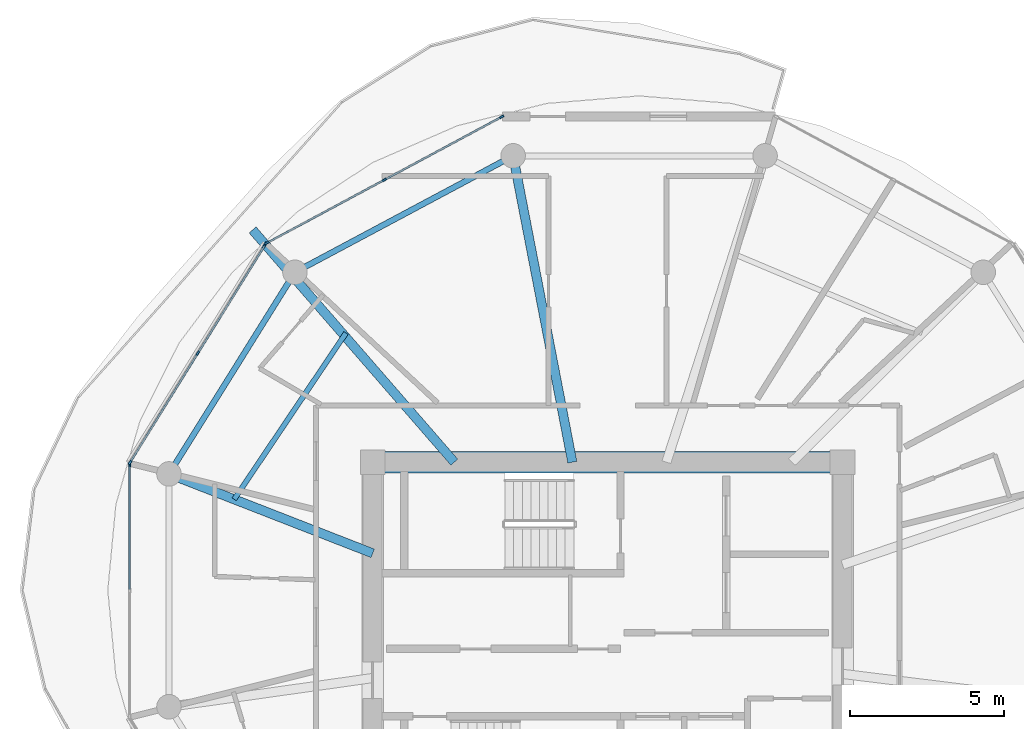
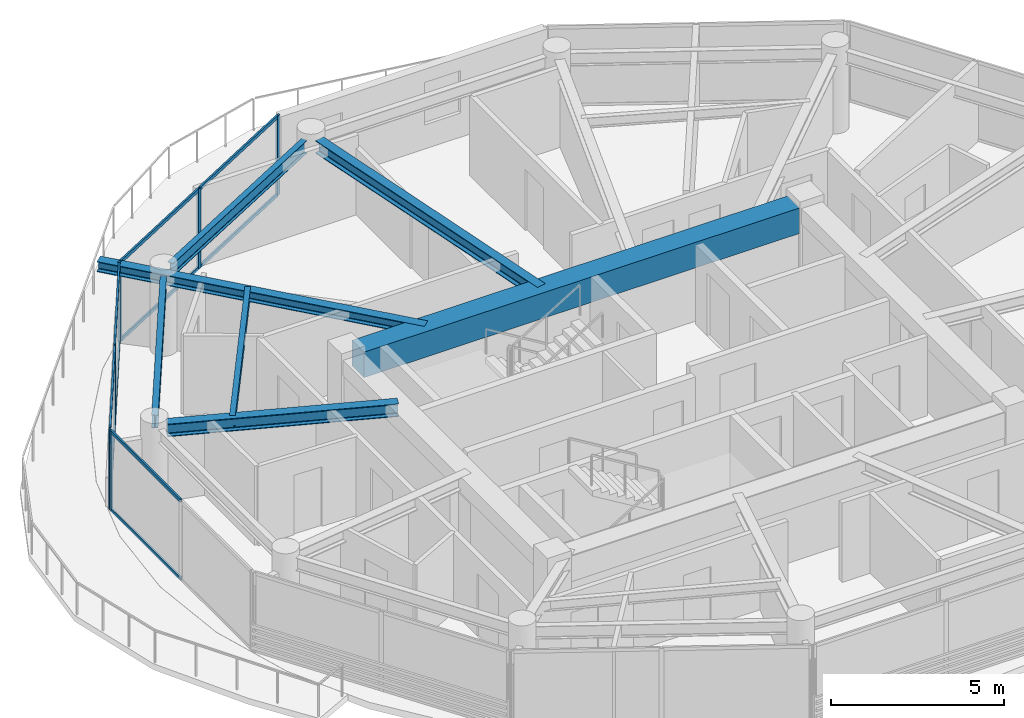
# One storey, part 4 of 24: 17 members, 7 beams, 3 elements without a shape of their own.
"""IFC4 building model written with IfcOpenShell, lengths in metres."""

from ifc_helpers import new_model, si_unit, direction, frame, origin, origin_2d, place, context, subcontext, project, spatial, rectangle, i_section, extrude, source, transform, mapped, material, layer, layer_set, material_profile, profile_set, type_object, type_shapes, element, aggregate, save


model = new_model("IFC4")

# Units and contexts
model_context = context("Model", 3, precision=1e-05, world=origin(), true_north=direction((0.0, 1.0)))
body_context = subcontext(model_context, "Body", "Model", "MODEL_VIEW")
ifc_project = project(units=[si_unit("LENGTHUNIT", "METRE"), si_unit("AREAUNIT", "SQUARE_METRE"), si_unit("VOLUMEUNIT", "CUBIC_METRE"), si_unit("PLANEANGLEUNIT", "RADIAN"), si_unit("MASSUNIT", "GRAM", prefix="KILO")], contexts=[model_context])

# Site, building, storey
site_placement = place(None, origin())
site = spatial("IfcSite", under=ifc_project, at=site_placement, CompositionType="ELEMENT")
building_placement = place(site_placement, origin())
building = spatial("IfcBuilding", under=site, at=building_placement, Name="Norrkilde Senior Care Towers", CompositionType="ELEMENT")
storey_placement = place(building_placement, frame((0.0, 0.0, 155.64990234375)))
storey = spatial("IfcBuildingStorey", under=building, at=storey_placement, Name="L48", CompositionType="ELEMENT", Elevation=155.64990234375)

# Beams
ifc_material_1 = material(Name="Concrete C60/75", Category="concrete")
ifc_material_profile_1 = material_profile(ifc_material_1, rectangle(XDim=0.699951171875, YDim=0.89990234375, at=origin_2d()), Name="RC BM 700x900")
ifc_profile_set_1 = profile_set([ifc_material_profile_1], Name="Concrete C60/75")
beam_type_1 = type_object("IfcBeamType", Name="Core Coupling Girder 700x900", PredefinedType="USERDEFINED", material=ifc_profile_set_1)
shared_shape_1 = source(origin(), body_context, "Body", "SweptSolid", [
    extrude(rectangle(XDim=0.699951171875, YDim=0.89990234375, at=origin_2d()), origin(), (0.0, 0.0, 1.0), 14.5400390625),
])
type_shapes(beam_type_1, [shared_shape_1])
beam_1_placement = place(storey_placement, frame((-35.27001953125, 5.949951171875, 2.360107421875), z_axis=(1.0, 0.0, 0.0), x_axis=(0.0, 1.0, 0.0)))
element("IfcBeam", 1, at=beam_1_placement, inside=storey, type_object=beam_type_1, Name="L48 Core W N Coupling Girder", ObjectType="GIRDER", PredefinedType="USERDEFINED", context=body_context, shape_type="MappedRepresentation", body=[
    mapped(shared_shape_1, transform((0.0, 0.0, 0.0), x_axis=(1.0, 0.0, 0.0), y_axis=(0.0, 1.0, 0.0), z_axis=(0.0, 0.0, 1.0), scale=1.0)),
])
ifc_material_2 = material(Name="Steel S355", Category="steel")
ifc_material_profile_2 = material_profile(ifc_material_2, i_section(OverallWidth=0.18994140625, OverallDepth=0.449951171875, WebThickness=0.009521484375, FlangeThickness=0.0146484375, FilletRadius=0.02099609375, at=origin_2d()), Name="IPE 450")
ifc_profile_set_2 = profile_set([ifc_material_profile_2], Name="Steel S355")
beam_type_2 = type_object("IfcBeamType", Name="Perimeter Ring Spandrel Z3 IPE450", PredefinedType="SPANDREL", material=ifc_profile_set_2)
shared_shape_2 = source(origin(), body_context, "Body", "SweptSolid", [
    extrude(i_section(OverallWidth=0.18994140625, OverallDepth=0.449951171875, WebThickness=0.009521484375, FlangeThickness=0.0146484375, FilletRadius=0.02099609375, at=origin_2d()), origin(), (0.0, 0.0, 1.0), 7.0234375),
])
beam_2_placement = place(storey_placement, frame((-38.373291015625, 11.8291015625, 2.585205078125), z_axis=(-0.529789577822, -0.848129119433, 0.0), x_axis=(0.848129119433, -0.529789577822, 0.0)))
element("IfcBeam", 2, at=beam_2_placement, inside=storey, type_object=beam_type_2, Name="L48 Drum W Perimeter Spandrel 05", PredefinedType="SPANDREL", context=body_context, shape_type="MappedRepresentation", body=[
    mapped(shared_shape_2, transform((0.0, 0.0, 0.0), x_axis=(1.0, 0.0, 0.0), y_axis=(0.0, 1.0, 0.0), z_axis=(0.0, 0.0, 1.0), scale=1.0)),
])
shared_shape_3 = source(origin(), body_context, "Body", "SweptSolid", [
    extrude(i_section(OverallWidth=0.18994140625, OverallDepth=0.449951171875, WebThickness=0.009521484375, FlangeThickness=0.0146484375, FilletRadius=0.02099609375, at=origin_2d()), origin(), (0.0, 0.0, 1.0), 7.333740234375),
])
type_shapes(beam_type_2, [shared_shape_2, shared_shape_3])
beam_3_placement = place(storey_placement, frame((-31.394775390625, 15.756591796875, 2.585205078125), z_axis=(-0.882247866069, -0.470785198172, 0.0), x_axis=(0.470785198172, -0.882247866069, 0.0)))
element("IfcBeam", 3, at=beam_3_placement, inside=storey, type_object=beam_type_2, Name="L48 Drum W Perimeter Spandrel 04", PredefinedType="SPANDREL", context=body_context, shape_type="MappedRepresentation", body=[
    mapped(shared_shape_3, transform((0.0, 0.0, 0.0), x_axis=(1.0, 0.0, 0.0), y_axis=(0.0, 1.0, 0.0), z_axis=(0.0, 0.0, 1.0), scale=1.0)),
])
ifc_material_profile_3 = material_profile(ifc_material_2, i_section(OverallWidth=0.300048828125, OverallDepth=0.449951171875, WebThickness=0.013916015625, FlangeThickness=0.02587890625, FilletRadius=0.027099609375, at=origin_2d()), Name="HEB 450")
ifc_profile_set_3 = profile_set([ifc_material_profile_3], Name="Steel S355")
beam_type_3 = type_object("IfcBeamType", Name="Radial Floor Beam Z3 HEB450", PredefinedType="BEAM", material=ifc_profile_set_3)
shared_shape_4 = source(origin(), body_context, "Body", "SweptSolid", [
    extrude(i_section(OverallWidth=0.300048828125, OverallDepth=0.449951171875, WebThickness=0.013916015625, FlangeThickness=0.02587890625, FilletRadius=0.027099609375, at=origin_2d()), origin(), (0.0, 0.0, 1.0), 9.80078125),
])
beam_4_placement = place(storey_placement, frame((-29.149658203125, 5.949951171875, 2.585205078125), z_axis=(-0.189716727661, 0.98183886827, 0.0), x_axis=(-0.98183886827, -0.189716727661, 0.0)))
element("IfcBeam", 4, at=beam_4_placement, inside=storey, type_object=beam_type_3, Name="L48 Drum W Radial Floor Beam 04", PredefinedType="BEAM", context=body_context, shape_type="MappedRepresentation", body=[
    mapped(shared_shape_4, transform((0.0, 0.0, 0.0), x_axis=(1.0, 0.0, 0.0), y_axis=(0.0, 1.0, 0.0), z_axis=(0.0, 0.0, 1.0), scale=1.0)),
])
shared_shape_5 = source(origin(), body_context, "Body", "SweptSolid", [
    extrude(i_section(OverallWidth=0.300048828125, OverallDepth=0.449951171875, WebThickness=0.013916015625, FlangeThickness=0.02587890625, FilletRadius=0.027099609375, at=origin_2d()), origin(), (0.0, 0.0, 1.0), 6.760986328125),
])
type_shapes(beam_type_3, [shared_shape_4, shared_shape_5])
beam_5_placement = place(storey_placement, frame((-35.64990234375, 2.981201171875, 2.585205078125), z_axis=(-0.931742171387, 0.363120539297, 0.0), x_axis=(-0.363120539297, -0.931742171387, 0.0)))
element("IfcBeam", 5, at=beam_5_placement, inside=storey, type_object=beam_type_3, Name="L48 Drum W Radial Floor Beam 06", PredefinedType="BEAM", context=body_context, shape_type="MappedRepresentation", body=[
    mapped(shared_shape_5, transform((0.0, 0.0, 0.0), x_axis=(1.0, 0.0, 0.0), y_axis=(0.0, 1.0, 0.0), z_axis=(0.0, 0.0, 1.0), scale=1.0)),
])
ifc_material_profile_4 = material_profile(ifc_material_2, i_section(OverallWidth=0.169921875, OverallDepth=0.360107421875, WebThickness=0.008056640625, FlangeThickness=0.0126953125, FilletRadius=0.01806640625, at=origin_2d()), Name="IPE 360")
ifc_profile_set_4 = profile_set([ifc_material_profile_4], Name="Steel S355")
beam_type_4 = type_object("IfcBeamType", Name="Secondary Floor Joist IPE360", PredefinedType="JOIST", material=ifc_profile_set_4)
shared_shape_6 = source(origin(), body_context, "Body", "SweptSolid", [
    extrude(i_section(OverallWidth=0.169921875, OverallDepth=0.360107421875, WebThickness=0.008056640625, FlangeThickness=0.0126953125, FilletRadius=0.01806640625, at=origin_2d()), origin(), (0.0, 0.0, 1.0), 6.525390625),
])
type_shapes(beam_type_4, [shared_shape_6])
beam_6_placement = place(storey_placement, frame((-36.52197265625, 10.155517578125, 2.630126953125), z_axis=(-0.55779590102, -0.829978152005, 0.0), x_axis=(0.829978152005, -0.55779590102, 0.0)))
element("IfcBeam", 6, at=beam_6_placement, inside=storey, type_object=beam_type_4, Name="L48 Drum W Secondary Floor Joist 2", PredefinedType="JOIST", context=body_context, shape_type="MappedRepresentation", body=[
    mapped(shared_shape_6, transform((0.0, 0.0, 0.0), x_axis=(1.0, 0.0, 0.0), y_axis=(0.0, 1.0, 0.0), z_axis=(0.0, 0.0, 1.0), scale=1.0)),
])
ifc_material_profile_5 = material_profile(ifc_material_2, i_section(OverallWidth=0.300048828125, OverallDepth=0.360107421875, WebThickness=0.012451171875, FlangeThickness=0.0224609375, FilletRadius=0.027099609375, at=origin_2d()), Name="HEB 360")
ifc_profile_set_5 = profile_set([ifc_material_profile_5], Name="Steel S355")
beam_type_5 = type_object("IfcBeamType", Name="Balcony Crest Cantilever Rib HEB360", PredefinedType="BEAM", material=ifc_profile_set_5)
shared_shape_7 = source(origin(), body_context, "Body", "SweptSolid", [
    extrude(i_section(OverallWidth=0.300048828125, OverallDepth=0.360107421875, WebThickness=0.012451171875, FlangeThickness=0.0224609375, FilletRadius=0.027099609375, at=origin_2d()), origin(), (0.0, 0.0, 1.0), 10.017578125),
])
type_shapes(beam_type_5, [shared_shape_7])
beam_7_placement = place(storey_placement, frame((-32.992919921875, 5.949951171875, 2.630126953125), z_axis=(-0.655704935998, 0.755017242788, 0.0), x_axis=(-0.755017242788, -0.655704935998, 0.0)))
element("IfcBeam", 7, at=beam_7_placement, inside=storey, type_object=beam_type_5, Name="L48 Drum W Balcony Cantilever Rib", PredefinedType="BEAM", context=body_context, shape_type="MappedRepresentation", body=[
    mapped(shared_shape_7, transform((0.0, 0.0, 0.0), x_axis=(1.0, 0.0, 0.0), y_axis=(0.0, 1.0, 0.0), z_axis=(0.0, 0.0, 1.0), scale=1.0)),
])

# Curtain wall, members
ifc_material_3 = material(Name="Triple Low-E Insulated Glazing", Category="glass")
ifc_layer = layer(ifc_material_3, 0.18994140625)
ifc_layer_set = layer_set([ifc_layer], Name="Triple Low-E Insulated Glazing")
curtain_wall_type = type_object("IfcCurtainWallType", Name="CW4 Zone 3 Senior Residence Curtain Wall", PredefinedType="NOTDEFINED", material=ifc_layer_set)
curtain_wall_1_placement = place(storey_placement, origin())
curtain_wall_1 = element("IfcCurtainWall", 8, at=curtain_wall_1_placement, inside=storey, type_object=curtain_wall_type, Name="L48 Drum W Curtain Wall 03", PredefinedType="NOTDEFINED")
ifc_material_4 = material(Name="Anodised Aluminium", Category="aluminium")
ifc_material_profile_6 = material_profile(ifc_material_4, rectangle(XDim=0.06494140625, YDim=0.14990234375, at=origin_2d()), Name="ALU MULL 65x150")
ifc_profile_set_6 = profile_set([ifc_material_profile_6], Name="Anodised Aluminium")
member_type_1 = type_object("IfcMemberType", Name="Curtain Wall Mullion Z3-Z4 65x150", PredefinedType="MULLION", material=ifc_profile_set_6)
shared_shape_8 = source(origin(), body_context, "Body", "SweptSolid", [
    extrude(rectangle(XDim=0.06494140625, YDim=0.14990234375, at=origin_2d()), origin(), (0.0, 0.0, 1.0), 2.81005859375),
])
type_shapes(member_type_1, [shared_shape_8])
member_1_placement = place(storey_placement, frame((-39.094482421875, 13.09033203125, 0.0), z_axis=(0.0, 0.0, 1.0), x_axis=(-0.47311715104, 0.880999524059, 0.0)))
member_1 = element("IfcMember", 9, at=member_1_placement, type_object=member_type_1, Name="CW-4 mullion 1", PredefinedType="MULLION", context=body_context, shape_type="MappedRepresentation", body=[
    mapped(shared_shape_8, transform((0.0, 0.0, 0.0), x_axis=(1.0, 0.0, 0.0), y_axis=(0.0, 1.0, 0.0), z_axis=(0.0, 0.0, 1.0), scale=1.0)),
])
member_2_placement = place(storey_placement, frame((-35.272216796875, 15.142822265625, 0.0), z_axis=(0.0, 0.0, 1.0), x_axis=(-0.47311715104, 0.880999524059, 0.0)))
member_2 = element("IfcMember", 10, at=member_2_placement, type_object=member_type_1, Name="CW-4 mullion 2", PredefinedType="MULLION", context=body_context, shape_type="MappedRepresentation", body=[
    mapped(shared_shape_8, transform((0.0, 0.0, 0.0), x_axis=(1.0, 0.0, 0.0), y_axis=(0.0, 1.0, 0.0), z_axis=(0.0, 0.0, 1.0), scale=1.0)),
])
member_3_placement = place(storey_placement, frame((-31.4501953125, 17.195556640625, 0.0), z_axis=(0.0, 0.0, 1.0), x_axis=(-0.47311715104, 0.880999524059, 0.0)))
member_3 = element("IfcMember", 11, at=member_3_placement, type_object=member_type_1, Name="CW-4 mullion 3", PredefinedType="MULLION", context=body_context, shape_type="MappedRepresentation", body=[
    mapped(shared_shape_8, transform((0.0, 0.0, 0.0), x_axis=(1.0, 0.0, 0.0), y_axis=(0.0, 1.0, 0.0), z_axis=(0.0, 0.0, 1.0), scale=1.0)),
])

curtain_wall_2_placement = place(storey_placement, origin())
curtain_wall_2 = element("IfcCurtainWall", 12, at=curtain_wall_2_placement, inside=storey, type_object=curtain_wall_type, Name="L48 Drum W Curtain Wall 04", PredefinedType="NOTDEFINED")
member_4_placement = place(storey_placement, frame((-43.552490234375, 5.93896484375, 0.0), z_axis=(0.0, 0.0, 1.0), x_axis=(-0.84963405474, 0.52737270789, 0.0)))
member_4 = element("IfcMember", 13, at=member_4_placement, type_object=member_type_1, Name="CW-4 mullion 1", PredefinedType="MULLION", context=body_context, shape_type="MappedRepresentation", body=[
    mapped(shared_shape_8, transform((0.0, 0.0, 0.0), x_axis=(1.0, 0.0, 0.0), y_axis=(0.0, 1.0, 0.0), z_axis=(0.0, 0.0, 1.0), scale=1.0)),
])
member_5_placement = place(storey_placement, frame((-41.346435546875, 9.4931640625, 0.0), z_axis=(0.0, 0.0, 1.0), x_axis=(-0.84963405474, 0.52737270789, 0.0)))
member_5 = element("IfcMember", 14, at=member_5_placement, type_object=member_type_1, Name="CW-4 mullion 2", PredefinedType="MULLION", context=body_context, shape_type="MappedRepresentation", body=[
    mapped(shared_shape_8, transform((0.0, 0.0, 0.0), x_axis=(1.0, 0.0, 0.0), y_axis=(0.0, 1.0, 0.0), z_axis=(0.0, 0.0, 1.0), scale=1.0)),
])
member_6_placement = place(storey_placement, frame((-39.14013671875, 13.04736328125, 0.0), z_axis=(0.0, 0.0, 1.0), x_axis=(-0.84963405474, 0.52737270789, 0.0)))
member_6 = element("IfcMember", 15, at=member_6_placement, type_object=member_type_1, Name="CW-4 mullion 3", PredefinedType="MULLION", context=body_context, shape_type="MappedRepresentation", body=[
    mapped(shared_shape_8, transform((0.0, 0.0, 0.0), x_axis=(1.0, 0.0, 0.0), y_axis=(0.0, 1.0, 0.0), z_axis=(0.0, 0.0, 1.0), scale=1.0)),
])

# Curtain wall, member
curtain_wall_3_placement = place(storey_placement, origin())
curtain_wall_3 = element("IfcCurtainWall", 16, at=curtain_wall_3_placement, inside=storey, type_object=curtain_wall_type, Name="L48 Drum W Curtain Wall 05", PredefinedType="NOTDEFINED")
member_7_placement = place(storey_placement, frame((-43.569580078125, 5.878662109375, 0.0), z_axis=(0.0, 0.0, 1.0), x_axis=(-1.0, 0.0, 0.0)))
member_7 = element("IfcMember", 17, at=member_7_placement, type_object=member_type_1, Name="CW-4 mullion 3", PredefinedType="MULLION", context=body_context, shape_type="MappedRepresentation", body=[
    mapped(shared_shape_8, transform((0.0, 0.0, 0.0), x_axis=(1.0, 0.0, 0.0), y_axis=(0.0, 1.0, 0.0), z_axis=(0.0, 0.0, 1.0), scale=1.0)),
])

# Member
ifc_material_profile_7 = material_profile(ifc_material_4, rectangle(XDim=0.06005859375, YDim=0.1201171875, at=origin_2d()), Name="ALU TRAN 60x120")
ifc_profile_set_7 = profile_set([ifc_material_profile_7], Name="Anodised Aluminium")
member_type_2 = type_object("IfcMemberType", Name="Curtain Wall Transom Typical 60x120", PredefinedType="USERDEFINED", material=ifc_profile_set_7)
shared_shape_9 = source(origin(), body_context, "Body", "SweptSolid", [
    extrude(rectangle(XDim=0.06005859375, YDim=0.1201171875, at=origin_2d()), origin(), (0.0, 0.0, 1.0), 4.1181640625),
])
member_8_placement = place(storey_placement, frame((-43.535400390625, 5.966552734375, 0.030029296875), z_axis=(0.527374667286, 0.849632838528, 0.0), x_axis=(-0.849632838528, 0.527374667286, 0.0)))
member_8 = element("IfcMember", 18, at=member_8_placement, type_object=member_type_2, Name="CW-4 transom 1.1", ObjectType="TRANSOM", PredefinedType="USERDEFINED", context=body_context, shape_type="MappedRepresentation", body=[
    mapped(shared_shape_9, transform((0.0, 0.0, 0.0), x_axis=(1.0, 0.0, 0.0), y_axis=(0.0, 1.0, 0.0), z_axis=(0.0, 0.0, 1.0), scale=1.0)),
])

member_9_placement = place(storey_placement, frame((-43.535400390625, 5.966552734375, 2.780029296875), z_axis=(0.527374667286, 0.849632838528, 0.0), x_axis=(-0.849632838528, 0.527374667286, 0.0)))
member_9 = element("IfcMember", 19, at=member_9_placement, type_object=member_type_2, Name="CW-4 transom 1.2", ObjectType="TRANSOM", PredefinedType="USERDEFINED", context=body_context, shape_type="MappedRepresentation", body=[
    mapped(shared_shape_9, transform((0.0, 0.0, 0.0), x_axis=(1.0, 0.0, 0.0), y_axis=(0.0, 1.0, 0.0), z_axis=(0.0, 0.0, 1.0), scale=1.0)),
])

member_10_placement = place(storey_placement, frame((-41.3291015625, 9.520751953125, 0.030029296875), z_axis=(0.527331870867, 0.849659401153, 0.0), x_axis=(-0.849659401153, 0.527331870867, 0.0)))
member_10 = element("IfcMember", 20, at=member_10_placement, type_object=member_type_2, Name="CW-4 transom 2.1", ObjectType="TRANSOM", PredefinedType="USERDEFINED", context=body_context, shape_type="MappedRepresentation", body=[
    mapped(shared_shape_9, transform((0.0, 0.0, 0.0), x_axis=(1.0, 0.0, 0.0), y_axis=(0.0, 1.0, 0.0), z_axis=(0.0, 0.0, 1.0), scale=1.0)),
])

member_11_placement = place(storey_placement, frame((-41.3291015625, 9.520751953125, 2.780029296875), z_axis=(0.527331870867, 0.849659401153, 0.0), x_axis=(-0.849659401153, 0.527331870867, 0.0)))
member_11 = element("IfcMember", 21, at=member_11_placement, type_object=member_type_2, Name="CW-4 transom 2.2", ObjectType="TRANSOM", PredefinedType="USERDEFINED", context=body_context, shape_type="MappedRepresentation", body=[
    mapped(shared_shape_9, transform((0.0, 0.0, 0.0), x_axis=(1.0, 0.0, 0.0), y_axis=(0.0, 1.0, 0.0), z_axis=(0.0, 0.0, 1.0), scale=1.0)),
])

aggregate(curtain_wall_2, [member_4, member_5, member_6, member_8, member_9, member_10, member_11])

shared_shape_10 = source(origin(), body_context, "Body", "SweptSolid", [
    extrude(rectangle(XDim=0.06005859375, YDim=0.1201171875, at=origin_2d()), origin(), (0.0, 0.0, 1.0), 4.2734375),
])
member_12_placement = place(storey_placement, frame((-39.06591796875, 13.105712890625, 0.030029296875), z_axis=(0.881009863348, 0.473097897567, 0.0), x_axis=(-0.473097897567, 0.881009863348, 0.0)))
member_12 = element("IfcMember", 22, at=member_12_placement, type_object=member_type_2, Name="CW-4 transom 1.1", ObjectType="TRANSOM", PredefinedType="USERDEFINED", context=body_context, shape_type="MappedRepresentation", body=[
    mapped(shared_shape_10, transform((0.0, 0.0, 0.0), x_axis=(1.0, 0.0, 0.0), y_axis=(0.0, 1.0, 0.0), z_axis=(0.0, 0.0, 1.0), scale=1.0)),
])

member_13_placement = place(storey_placement, frame((-39.06591796875, 13.105712890625, 2.780029296875), z_axis=(0.881009863348, 0.473097897567, 0.0), x_axis=(-0.473097897567, 0.881009863348, 0.0)))
member_13 = element("IfcMember", 23, at=member_13_placement, type_object=member_type_2, Name="CW-4 transom 1.2", ObjectType="TRANSOM", PredefinedType="USERDEFINED", context=body_context, shape_type="MappedRepresentation", body=[
    mapped(shared_shape_10, transform((0.0, 0.0, 0.0), x_axis=(1.0, 0.0, 0.0), y_axis=(0.0, 1.0, 0.0), z_axis=(0.0, 0.0, 1.0), scale=1.0)),
])

member_14_placement = place(storey_placement, frame((-35.24365234375, 15.158203125, 0.030029296875), z_axis=(0.880986050649, 0.47314223925, 0.0), x_axis=(-0.47314223925, 0.880986050649, 0.0)))
member_14 = element("IfcMember", 24, at=member_14_placement, type_object=member_type_2, Name="CW-4 transom 2.1", ObjectType="TRANSOM", PredefinedType="USERDEFINED", context=body_context, shape_type="MappedRepresentation", body=[
    mapped(shared_shape_10, transform((0.0, 0.0, 0.0), x_axis=(1.0, 0.0, 0.0), y_axis=(0.0, 1.0, 0.0), z_axis=(0.0, 0.0, 1.0), scale=1.0)),
])

member_15_placement = place(storey_placement, frame((-35.24365234375, 15.158203125, 2.780029296875), z_axis=(0.880986050649, 0.47314223925, 0.0), x_axis=(-0.47314223925, 0.880986050649, 0.0)))
member_15 = element("IfcMember", 25, at=member_15_placement, type_object=member_type_2, Name="CW-4 transom 2.2", ObjectType="TRANSOM", PredefinedType="USERDEFINED", context=body_context, shape_type="MappedRepresentation", body=[
    mapped(shared_shape_10, transform((0.0, 0.0, 0.0), x_axis=(1.0, 0.0, 0.0), y_axis=(0.0, 1.0, 0.0), z_axis=(0.0, 0.0, 1.0), scale=1.0)),
])

aggregate(curtain_wall_1, [member_1, member_2, member_3, member_12, member_13, member_14, member_15])

shared_shape_11 = source(origin(), body_context, "Body", "SweptSolid", [
    extrude(rectangle(XDim=0.06005859375, YDim=0.1201171875, at=origin_2d()), origin(), (0.0, 0.0, 1.0), 4.038330078125),
])
type_shapes(member_type_2, [shared_shape_9, shared_shape_10, shared_shape_11])
member_16_placement = place(storey_placement, frame((-43.569580078125, 1.807861328125, 0.030029296875), z_axis=(0.0, 1.0, 0.0), x_axis=(-1.0, 0.0, 0.0)))
member_16 = element("IfcMember", 26, at=member_16_placement, type_object=member_type_2, Name="CW-4 transom 2.1", ObjectType="TRANSOM", PredefinedType="USERDEFINED", context=body_context, shape_type="MappedRepresentation", body=[
    mapped(shared_shape_11, transform((0.0, 0.0, 0.0), x_axis=(1.0, 0.0, 0.0), y_axis=(0.0, 1.0, 0.0), z_axis=(0.0, 0.0, 1.0), scale=1.0)),
])

member_17_placement = place(storey_placement, frame((-43.569580078125, 1.807861328125, 2.780029296875), z_axis=(0.0, 1.0, 0.0), x_axis=(-1.0, 0.0, 0.0)))
member_17 = element("IfcMember", 27, at=member_17_placement, type_object=member_type_2, Name="CW-4 transom 2.2", ObjectType="TRANSOM", PredefinedType="USERDEFINED", context=body_context, shape_type="MappedRepresentation", body=[
    mapped(shared_shape_11, transform((0.0, 0.0, 0.0), x_axis=(1.0, 0.0, 0.0), y_axis=(0.0, 1.0, 0.0), z_axis=(0.0, 0.0, 1.0), scale=1.0)),
])

aggregate(curtain_wall_3, [member_7, member_16, member_17])

save(model, "model.ifc")
